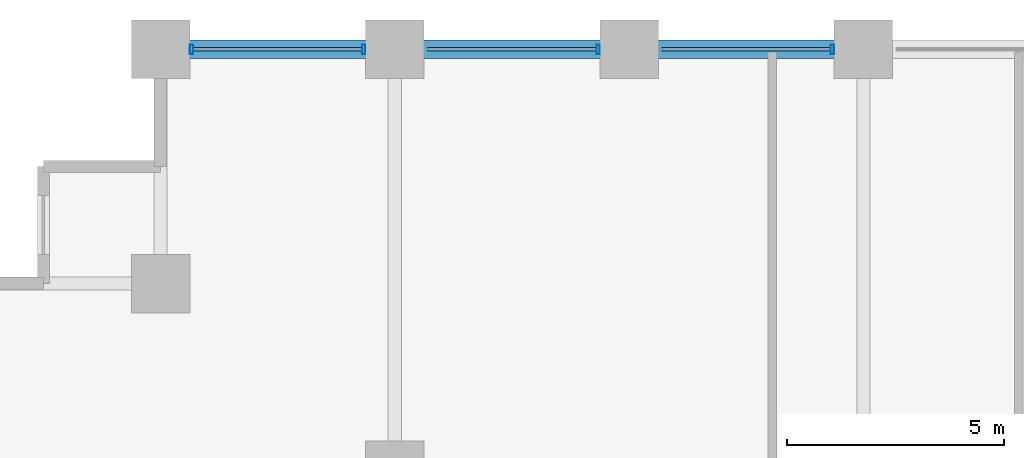
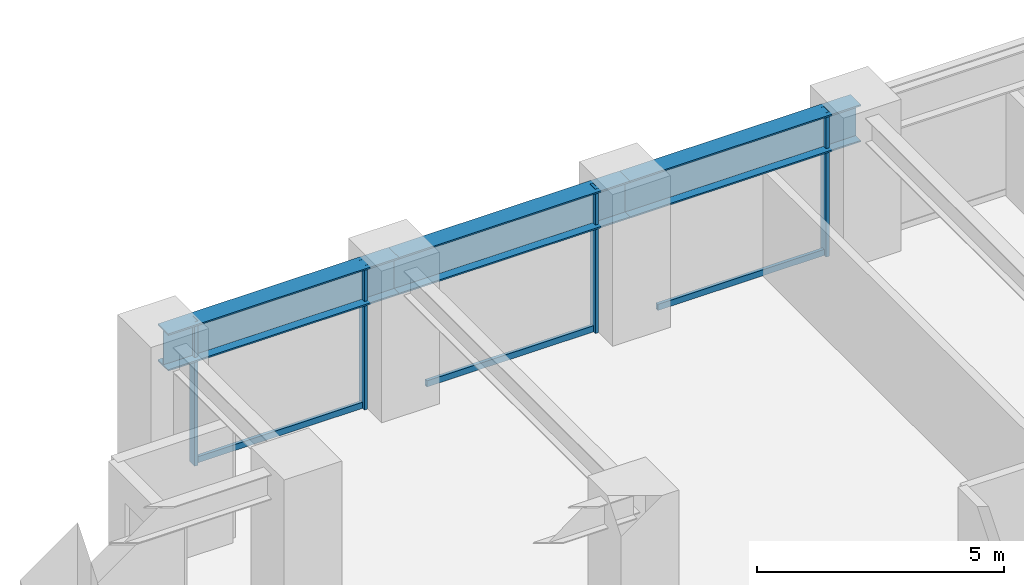
# One storey, part 12 of 24: 7 members, 3 beams, 1 element without a shape of its own.
"""IFC4 building model written with IfcOpenShell, lengths in metres."""

from ifc_helpers import new_model, si_unit, direction, frame, origin, origin_2d, place, context, subcontext, project, spatial, hollow_rectangle, i_section, extrude, material, layer, layer_set, material_profile, profile_set, type_object, element, aggregate, save


model = new_model("IFC4")

# Units and contexts
model_context = context("Model", 3, precision=1e-05, world=origin(), true_north=direction((0.0, 1.0)))
body_context = subcontext(model_context, "Body", "Model", "MODEL_VIEW")
ifc_project = project(units=[si_unit("LENGTHUNIT", "METRE"), si_unit("AREAUNIT", "SQUARE_METRE"), si_unit("VOLUMEUNIT", "CUBIC_METRE"), si_unit("PLANEANGLEUNIT", "RADIAN"), si_unit("MASSUNIT", "GRAM", prefix="KILO")], contexts=[model_context])

# Site, building, storey
site_placement = place(None, origin())
site = spatial("IfcSite", under=ifc_project, at=site_placement, CompositionType="ELEMENT")
building_placement = place(site_placement, origin())
building = spatial("IfcBuilding", under=site, at=building_placement, Name="Surkhivell Harbour Commons", CompositionType="ELEMENT")
storey_placement = place(building_placement, frame((0.0, 0.0, 26.25)))
storey = spatial("IfcBuildingStorey", under=building, at=storey_placement, Name="L06", CompositionType="ELEMENT", Elevation=26.25)

# Beams
ifc_material_1 = material(Name="Steel S460", Category="steel")
ifc_material_profile_1 = material_profile(ifc_material_1, i_section(OverallWidth=0.419921875, OverallDepth=0.9208984375, WebThickness=0.021484375, FlangeThickness=0.03662109375, at=origin_2d()), Name="UB914x419x388")
ifc_profile_set_1 = profile_set([ifc_material_profile_1], Name="Steel S460")
beam_type = type_object("IfcBeamType", Name="BM-SPN-914A", PredefinedType="SPANDREL", material=ifc_profile_set_1)
beam_1_placement = place(storey_placement, frame((-27.0, 25.89990234375, 3.109619140625), z_axis=(1.0, 0.0, 0.0), x_axis=(0.0, 1.0, 0.0)))
element("IfcBeam", 1, at=beam_1_placement, inside=storey, type_object=beam_type, Name="L06 Tube Spandrel (-27.0,25.9)", PredefinedType="SPANDREL", context=body_context, shape_type="SweptSolid", body=[
    extrude(i_section(OverallWidth=0.419921875, OverallDepth=0.9208984375, WebThickness=0.021484375, FlangeThickness=0.03662109375, at=origin_2d()), origin(), (0.0, 0.0, 1.0), 5.39990234375),
])
beam_2_placement = place(storey_placement, frame((-21.60009765625, 25.89990234375, 3.109619140625), z_axis=(1.0, 0.0, 0.0), x_axis=(0.0, 1.0, 0.0)))
element("IfcBeam", 2, at=beam_2_placement, inside=storey, type_object=beam_type, Name="L06 Tube Spandrel (-21.6,25.9)", PredefinedType="SPANDREL", context=body_context, shape_type="SweptSolid", body=[
    extrude(i_section(OverallWidth=0.419921875, OverallDepth=0.9208984375, WebThickness=0.021484375, FlangeThickness=0.03662109375, at=origin_2d()), origin(), (0.0, 0.0, 1.0), 5.400146484375),
])
beam_3_placement = place(storey_placement, frame((-16.199951171875, 25.89990234375, 3.109619140625), z_axis=(1.0, 0.0, 0.0), x_axis=(0.0, 1.0, 0.0)))
element("IfcBeam", 3, at=beam_3_placement, inside=storey, type_object=beam_type, Name="L06 Tube Spandrel (-16.2,25.9)", PredefinedType="SPANDREL", context=body_context, shape_type="SweptSolid", body=[
    extrude(i_section(OverallWidth=0.419921875, OverallDepth=0.9208984375, WebThickness=0.021484375, FlangeThickness=0.03662109375, at=origin_2d()), origin(), (0.0, 0.0, 1.0), 5.39990234375),
])

# Curtain wall, members
ifc_material_2 = material(Name="Anodised pale-metal aluminium and insulated glazing", Category="aluminium")
ifc_layer = layer(ifc_material_2, 0.219970703125)
ifc_layer_set = layer_set([ifc_layer], Name="Anodised pale-metal aluminium and insulated glazing")
curtain_wall_type = type_object("IfcCurtainWallType", Name="CW-SYS-Z1", PredefinedType="NOTDEFINED", material=ifc_layer_set)
curtain_wall_placement = place(storey_placement, origin())
curtain_wall = element("IfcCurtainWall", 4, at=curtain_wall_placement, inside=storey, type_object=curtain_wall_type, Name="L06 Curtain Wall CW-L06-E07S2", PredefinedType="NOTDEFINED")
ifc_material_3 = material(Name="Anodised pale-metal aluminium alloy 6063-T6", Category="aluminium")
ifc_material_profile_2 = material_profile(ifc_material_3, hollow_rectangle(XDim=0.074951171875, YDim=0.219970703125, WallThickness=0.00390625, at=origin_2d()), Name="ALU-MULL-75x220")
ifc_profile_set_2 = profile_set([ifc_material_profile_2], Name="Anodised pale-metal aluminium alloy 6063-T6")
member_type_1 = type_object("IfcMemberType", Name="CWM-220", PredefinedType="MULLION", material=ifc_profile_set_2)
member_1_placement = place(storey_placement, frame((-11.514404296875, 25.89990234375, 0.0), z_axis=(0.0, 0.0, 1.0), x_axis=(-1.0, 0.0, 0.0)))
member_1 = element("IfcMember", 5, at=member_1_placement, type_object=member_type_1, Name="CW-Z1 mullion 2", PredefinedType="MULLION", context=body_context, shape_type="SweptSolid", body=[
    extrude(hollow_rectangle(XDim=0.074951171875, YDim=0.219970703125, WallThickness=0.00390625, at=origin_2d()), origin(), (0.0, 0.0, 1.0), 3.570068359375),
])
member_2_placement = place(storey_placement, frame((-16.91455078125, 25.89990234375, 0.0), z_axis=(0.0, 0.0, 1.0), x_axis=(-1.0, 0.0, 0.0)))
member_2 = element("IfcMember", 6, at=member_2_placement, type_object=member_type_1, Name="CW-Z1 mullion 3", PredefinedType="MULLION", context=body_context, shape_type="SweptSolid", body=[
    extrude(hollow_rectangle(XDim=0.074951171875, YDim=0.219970703125, WallThickness=0.00390625, at=origin_2d()), origin(), (0.0, 0.0, 1.0), 3.570068359375),
])
member_3_placement = place(storey_placement, frame((-22.314453125, 25.89990234375, 0.0), z_axis=(0.0, 0.0, 1.0), x_axis=(-1.0, 0.0, 0.0)))
member_3 = element("IfcMember", 7, at=member_3_placement, type_object=member_type_1, Name="CW-Z1 mullion 4", PredefinedType="MULLION", context=body_context, shape_type="SweptSolid", body=[
    extrude(hollow_rectangle(XDim=0.074951171875, YDim=0.219970703125, WallThickness=0.00390625, at=origin_2d()), origin(), (0.0, 0.0, 1.0), 3.570068359375),
])
member_4_placement = place(storey_placement, frame((-26.285400390625, 25.89990234375, 0.0), z_axis=(0.0, 0.0, 1.0), x_axis=(-1.0, 0.0, 0.0)))
member_4 = element("IfcMember", 8, at=member_4_placement, type_object=member_type_1, Name="CW-Z1 mullion 5", PredefinedType="MULLION", context=body_context, shape_type="SweptSolid", body=[
    extrude(hollow_rectangle(XDim=0.074951171875, YDim=0.219970703125, WallThickness=0.00390625, at=origin_2d()), origin(), (0.0, 0.0, 1.0), 3.570068359375),
])
ifc_material_profile_3 = material_profile(ifc_material_3, hollow_rectangle(XDim=0.074951171875, YDim=0.14990234375, WallThickness=0.00341796875, at=origin_2d()), Name="ALU-TRAN-75x150")
ifc_profile_set_3 = profile_set([ifc_material_profile_3], Name="Anodised pale-metal aluminium alloy 6063-T6")
member_type_2 = type_object("IfcMemberType", Name="CWT-150", PredefinedType="USERDEFINED", material=ifc_profile_set_3)
member_5_placement = place(storey_placement, frame((-11.552001953125, 25.89990234375, 0.074951171875), z_axis=(-1.0, 0.0, 0.0), x_axis=(0.0, -1.0, 0.0)))
member_5 = element("IfcMember", 9, at=member_5_placement, type_object=member_type_2, Name="CW-Z1 transom 2.1", ObjectType="TRANSOM", PredefinedType="USERDEFINED", context=body_context, shape_type="SweptSolid", body=[
    extrude(hollow_rectangle(XDim=0.074951171875, YDim=0.14990234375, WallThickness=0.00341796875, at=origin_2d()), origin(), (0.0, 0.0, 1.0), 3.89599609375),
])
member_6_placement = place(storey_placement, frame((-16.951904296875, 25.89990234375, 0.074951171875), z_axis=(-1.0, 0.0, 0.0), x_axis=(0.0, -1.0, 0.0)))
member_6 = element("IfcMember", 10, at=member_6_placement, type_object=member_type_2, Name="CW-Z1 transom 3.1", ObjectType="TRANSOM", PredefinedType="USERDEFINED", context=body_context, shape_type="SweptSolid", body=[
    extrude(hollow_rectangle(XDim=0.074951171875, YDim=0.14990234375, WallThickness=0.00341796875, at=origin_2d()), origin(), (0.0, 0.0, 1.0), 3.89599609375),
])
member_7_placement = place(storey_placement, frame((-22.35205078125, 25.89990234375, 0.074951171875), z_axis=(-1.0, 0.0, 0.0), x_axis=(0.0, -1.0, 0.0)))
member_7 = element("IfcMember", 11, at=member_7_placement, type_object=member_type_2, Name="CW-Z1 transom 4.1", ObjectType="TRANSOM", PredefinedType="USERDEFINED", context=body_context, shape_type="SweptSolid", body=[
    extrude(hollow_rectangle(XDim=0.074951171875, YDim=0.14990234375, WallThickness=0.00341796875, at=origin_2d()), origin(), (0.0, 0.0, 1.0), 3.89599609375),
])
aggregate(curtain_wall, [member_1, member_5, member_2, member_6, member_3, member_4, member_7])

save(model, "model.ifc")
